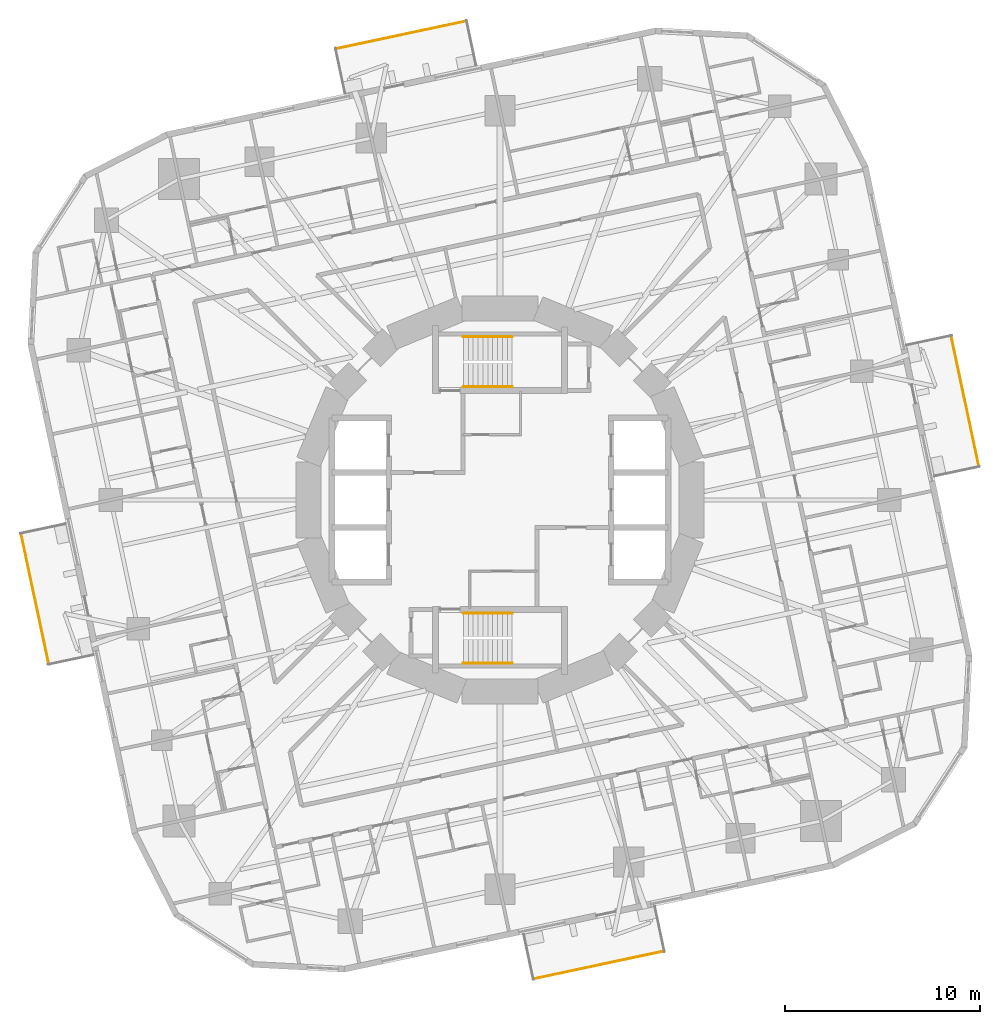
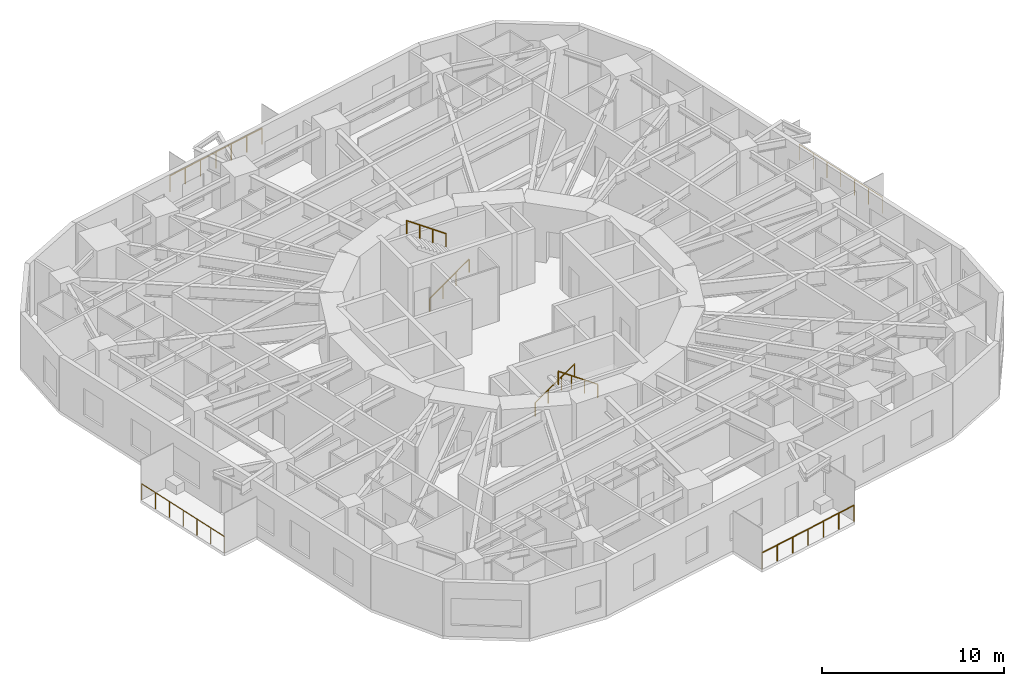
# One storey, part 13 of 14: 8 railings.
"""IFC4 building model written with IfcOpenShell, lengths in metres."""

from ifc_helpers import new_model, si_unit, direction, frame, origin, origin_2d, place, context, subcontext, project, spatial, circle, extrude, material, type_object, element, save


model = new_model("IFC4")

# Units and contexts
model_context = context("Model", 3, precision=1e-05, world=origin(), true_north=direction((0.0, 1.0)))
body_context = subcontext(model_context, "Body", "Model", "MODEL_VIEW")
ifc_project = project(units=[si_unit("LENGTHUNIT", "METRE"), si_unit("AREAUNIT", "SQUARE_METRE"), si_unit("VOLUMEUNIT", "CUBIC_METRE"), si_unit("PLANEANGLEUNIT", "RADIAN"), si_unit("MASSUNIT", "GRAM", prefix="KILO")], contexts=[model_context])

# Site, building, storey
site_placement = place(None, origin())
site = spatial("IfcSite", under=ifc_project, at=site_placement, CompositionType="ELEMENT")
building_placement = place(site_placement, origin())
building = spatial("IfcBuilding", under=site, at=building_placement, Name="Nakasero Lantern House", CompositionType="ELEMENT")
storey_placement = place(building_placement, frame((0.0, 0.0, 120.39990234375)))
storey = spatial("IfcBuildingStorey", under=building, at=storey_placement, Name="L29", CompositionType="ELEMENT", Elevation=120.39990234375)

# Railings
ifc_material_1 = material(Name="Aluminium 6063-T6", Category="aluminium")
railing_type_1 = type_object("IfcRailingType", Name="Balcony guard 1100", PredefinedType="BALUSTRADE", material=ifc_material_1)
railing_1_placement = place(storey_placement, frame((24.52685546875, 1.72705078125, 0.0)))
element("IfcRailing", 1, at=railing_1_placement, inside=storey, type_object=railing_type_1, Name="Balcony guard L29 BAL0", PredefinedType="BALUSTRADE", context=body_context, shape_type="SweptSolid", body=[
    extrude(circle(Radius=0.02392578125, at=origin_2d()), frame((0.0, 0.0, 1.076171875), z_axis=(-0.207907990246, 0.978148387307, 0.0), x_axis=(-0.978148387307, -0.207907990246, 0.0)), (0.0, 0.0, 1.0), 6.820068359375),
    extrude(circle(Radius=0.02099609375, at=origin_2d()), origin(), (0.0, 0.0, 1.0), 1.052001953125),
    extrude(circle(Radius=0.02099609375, at=origin_2d()), frame((-0.236328125, 1.11181640625, 0.0)), (0.0, 0.0, 1.0), 1.052001953125),
    extrude(circle(Radius=0.02099609375, at=origin_2d()), frame((-0.47265625, 2.2236328125, 0.0)), (0.0, 0.0, 1.0), 1.052001953125),
    extrude(circle(Radius=0.02099609375, at=origin_2d()), frame((-0.708984375, 3.33544921875, 0.0)), (0.0, 0.0, 1.0), 1.052001953125),
    extrude(circle(Radius=0.02099609375, at=origin_2d()), frame((-0.9453125, 4.447509765625, 0.0)), (0.0, 0.0, 1.0), 1.052001953125),
    extrude(circle(Radius=0.02099609375, at=origin_2d()), frame((-1.181640625, 5.559326171875, 0.0)), (0.0, 0.0, 1.0), 1.052001953125),
    extrude(circle(Radius=0.02099609375, at=origin_2d()), frame((-1.41796875, 6.671142578125, 0.0)), (0.0, 0.0, 1.0), 1.052001953125),
])
railing_2_placement = place(storey_placement, frame((-1.72705078125, 24.52685546875, 0.0)))
element("IfcRailing", 2, at=railing_2_placement, inside=storey, type_object=railing_type_1, Name="Balcony guard L29 BAL1", PredefinedType="BALUSTRADE", context=body_context, shape_type="SweptSolid", body=[
    extrude(circle(Radius=0.02392578125, at=origin_2d()), frame((0.0, 0.0, 1.076171875), z_axis=(-0.978148387307, -0.207907990246, 0.0), x_axis=(0.207907990246, -0.978148387307, 0.0)), (0.0, 0.0, 1.0), 6.820068359375),
    extrude(circle(Radius=0.02099609375, at=origin_2d()), origin(), (0.0, 0.0, 1.0), 1.052001953125),
    extrude(circle(Radius=0.02099609375, at=origin_2d()), frame((-1.11181640625, -0.236328125, 0.0)), (0.0, 0.0, 1.0), 1.052001953125),
    extrude(circle(Radius=0.02099609375, at=origin_2d()), frame((-2.2236328125, -0.47265625, 0.0)), (0.0, 0.0, 1.0), 1.052001953125),
    extrude(circle(Radius=0.02099609375, at=origin_2d()), frame((-3.33544921875, -0.708984375, 0.0)), (0.0, 0.0, 1.0), 1.052001953125),
    extrude(circle(Radius=0.02099609375, at=origin_2d()), frame((-4.447509765625, -0.9453125, 0.0)), (0.0, 0.0, 1.0), 1.052001953125),
    extrude(circle(Radius=0.02099609375, at=origin_2d()), frame((-5.559326171875, -1.181640625, 0.0)), (0.0, 0.0, 1.0), 1.052001953125),
    extrude(circle(Radius=0.02099609375, at=origin_2d()), frame((-6.671142578125, -1.41796875, 0.0)), (0.0, 0.0, 1.0), 1.052001953125),
])
railing_3_placement = place(storey_placement, frame((-24.52685546875, -1.72705078125, 0.0)))
element("IfcRailing", 3, at=railing_3_placement, inside=storey, type_object=railing_type_1, Name="Balcony guard L29 BAL2", PredefinedType="BALUSTRADE", context=body_context, shape_type="SweptSolid", body=[
    extrude(circle(Radius=0.02392578125, at=origin_2d()), frame((0.0, 0.0, 1.076171875), z_axis=(0.207907990246, -0.978148387307, 0.0), x_axis=(0.978148387307, 0.207907990246, 0.0)), (0.0, 0.0, 1.0), 6.820068359375),
    extrude(circle(Radius=0.02099609375, at=origin_2d()), origin(), (0.0, 0.0, 1.0), 1.052001953125),
    extrude(circle(Radius=0.02099609375, at=origin_2d()), frame((0.236328125, -1.11181640625, 0.0)), (0.0, 0.0, 1.0), 1.052001953125),
    extrude(circle(Radius=0.02099609375, at=origin_2d()), frame((0.47265625, -2.2236328125, 0.0)), (0.0, 0.0, 1.0), 1.052001953125),
    extrude(circle(Radius=0.02099609375, at=origin_2d()), frame((0.708984375, -3.33544921875, 0.0)), (0.0, 0.0, 1.0), 1.052001953125),
    extrude(circle(Radius=0.02099609375, at=origin_2d()), frame((0.9453125, -4.447509765625, 0.0)), (0.0, 0.0, 1.0), 1.052001953125),
    extrude(circle(Radius=0.02099609375, at=origin_2d()), frame((1.181640625, -5.559326171875, 0.0)), (0.0, 0.0, 1.0), 1.052001953125),
    extrude(circle(Radius=0.02099609375, at=origin_2d()), frame((1.41796875, -6.671142578125, 0.0)), (0.0, 0.0, 1.0), 1.052001953125),
])
railing_4_placement = place(storey_placement, frame((1.72705078125, -24.52685546875, 0.0)))
element("IfcRailing", 4, at=railing_4_placement, inside=storey, type_object=railing_type_1, Name="Balcony guard L29 BAL3", PredefinedType="BALUSTRADE", context=body_context, shape_type="SweptSolid", body=[
    extrude(circle(Radius=0.02392578125, at=origin_2d()), frame((0.0, 0.0, 1.076171875), z_axis=(0.978148387307, 0.207907990246, 0.0), x_axis=(-0.207907990246, 0.978148387307, 0.0)), (0.0, 0.0, 1.0), 6.820068359375),
    extrude(circle(Radius=0.02099609375, at=origin_2d()), origin(), (0.0, 0.0, 1.0), 1.052001953125),
    extrude(circle(Radius=0.02099609375, at=origin_2d()), frame((1.11181640625, 0.236328125, 0.0)), (0.0, 0.0, 1.0), 1.052001953125),
    extrude(circle(Radius=0.02099609375, at=origin_2d()), frame((2.2236328125, 0.47265625, 0.0)), (0.0, 0.0, 1.0), 1.052001953125),
    extrude(circle(Radius=0.02099609375, at=origin_2d()), frame((3.33544921875, 0.708984375, 0.0)), (0.0, 0.0, 1.0), 1.052001953125),
    extrude(circle(Radius=0.02099609375, at=origin_2d()), frame((4.447509765625, 0.9453125, 0.0)), (0.0, 0.0, 1.0), 1.052001953125),
    extrude(circle(Radius=0.02099609375, at=origin_2d()), frame((5.559326171875, 1.181640625, 0.0)), (0.0, 0.0, 1.0), 1.052001953125),
    extrude(circle(Radius=0.02099609375, at=origin_2d()), frame((6.671142578125, 1.41796875, 0.0)), (0.0, 0.0, 1.0), 1.052001953125),
])
ifc_material_2 = material(Name="Stainless steel 316", Category="steel")
railing_type_2 = type_object("IfcRailingType", Name="Stair handrail 900", PredefinedType="HANDRAIL", material=ifc_material_2)
railing_5_placement = place(storey_placement, frame((-1.875, 5.800048828125, 0.175048828125)))
element("IfcRailing", 5, at=railing_5_placement, inside=storey, type_object=railing_type_2, Name="Handrail ST1 L29 flight 1", PredefinedType="HANDRAIL", context=body_context, shape_type="SweptSolid", body=[
    extrude(circle(Radius=0.02392578125, at=origin_2d()), frame((0.0, 0.0, 0.8759765625), z_axis=(0.819231920519, 0.0, 0.573462344363), x_axis=(0.0, 1.0, 0.0)), (0.0, 0.0, 1.0), 3.0517578125),
    extrude(circle(Radius=0.02099609375, at=origin_2d()), origin(), (0.0, 0.0, 1.0), 0.851806640625),
    extrude(circle(Radius=0.02099609375, at=origin_2d()), frame((0.833251953125, 0.0, 0.583251953125)), (0.0, 0.0, 1.0), 0.851806640625),
    extrude(circle(Radius=0.02099609375, at=origin_2d()), frame((1.666748046875, 0.0, 1.166748046875)), (0.0, 0.0, 1.0), 0.851806640625),
    extrude(circle(Radius=0.02099609375, at=origin_2d()), frame((2.5, 0.0, 1.75)), (0.0, 0.0, 1.0), 0.851806640625),
])
railing_6_placement = place(storey_placement, frame((0.625, 8.35009765625, 2.10009765625)))
element("IfcRailing", 6, at=railing_6_placement, inside=storey, type_object=railing_type_2, Name="Handrail ST1 L29 flight 2", PredefinedType="HANDRAIL", context=body_context, shape_type="SweptSolid", body=[
    extrude(circle(Radius=0.02392578125, at=origin_2d()), frame((0.0, 0.0, 0.8759765625), z_axis=(-0.819231920519, 0.0, 0.573462344363), x_axis=(0.0, -1.0, 0.0)), (0.0, 0.0, 1.0), 3.0517578125),
    extrude(circle(Radius=0.02099609375, at=origin_2d()), origin(), (0.0, 0.0, 1.0), 0.851806640625),
    extrude(circle(Radius=0.02099609375, at=origin_2d()), frame((-0.833251953125, 0.0, 0.583251953125)), (0.0, 0.0, 1.0), 0.851806640625),
    extrude(circle(Radius=0.02099609375, at=origin_2d()), frame((-1.666748046875, 0.0, 1.166748046875)), (0.0, 0.0, 1.0), 0.851806640625),
    extrude(circle(Radius=0.02099609375, at=origin_2d()), frame((-2.5, 0.0, 1.75)), (0.0, 0.0, 1.0), 0.851806640625),
])
railing_7_placement = place(storey_placement, frame((-1.875, -5.800048828125, 0.175048828125)))
element("IfcRailing", 7, at=railing_7_placement, inside=storey, type_object=railing_type_2, Name="Handrail ST2 L29 flight 1", PredefinedType="HANDRAIL", context=body_context, shape_type="SweptSolid", body=[
    extrude(circle(Radius=0.02392578125, at=origin_2d()), frame((0.0, 0.0, 0.8759765625), z_axis=(0.819231920519, 0.0, 0.573462344363), x_axis=(0.0, 1.0, 0.0)), (0.0, 0.0, 1.0), 3.0517578125),
    extrude(circle(Radius=0.02099609375, at=origin_2d()), origin(), (0.0, 0.0, 1.0), 0.851806640625),
    extrude(circle(Radius=0.02099609375, at=origin_2d()), frame((0.833251953125, 0.0, 0.583251953125)), (0.0, 0.0, 1.0), 0.851806640625),
    extrude(circle(Radius=0.02099609375, at=origin_2d()), frame((1.666748046875, 0.0, 1.166748046875)), (0.0, 0.0, 1.0), 0.851806640625),
    extrude(circle(Radius=0.02099609375, at=origin_2d()), frame((2.5, 0.0, 1.75)), (0.0, 0.0, 1.0), 0.851806640625),
])
railing_8_placement = place(storey_placement, frame((0.625, -8.35009765625, 2.10009765625)))
element("IfcRailing", 8, at=railing_8_placement, inside=storey, type_object=railing_type_2, Name="Handrail ST2 L29 flight 2", PredefinedType="HANDRAIL", context=body_context, shape_type="SweptSolid", body=[
    extrude(circle(Radius=0.02392578125, at=origin_2d()), frame((0.0, 0.0, 0.8759765625), z_axis=(-0.819231920519, 0.0, 0.573462344363), x_axis=(0.0, -1.0, 0.0)), (0.0, 0.0, 1.0), 3.0517578125),
    extrude(circle(Radius=0.02099609375, at=origin_2d()), origin(), (0.0, 0.0, 1.0), 0.851806640625),
    extrude(circle(Radius=0.02099609375, at=origin_2d()), frame((-0.833251953125, 0.0, 0.583251953125)), (0.0, 0.0, 1.0), 0.851806640625),
    extrude(circle(Radius=0.02099609375, at=origin_2d()), frame((-1.666748046875, 0.0, 1.166748046875)), (0.0, 0.0, 1.0), 0.851806640625),
    extrude(circle(Radius=0.02099609375, at=origin_2d()), frame((-2.5, 0.0, 1.75)), (0.0, 0.0, 1.0), 0.851806640625),
])

save(model, "model.ifc")
